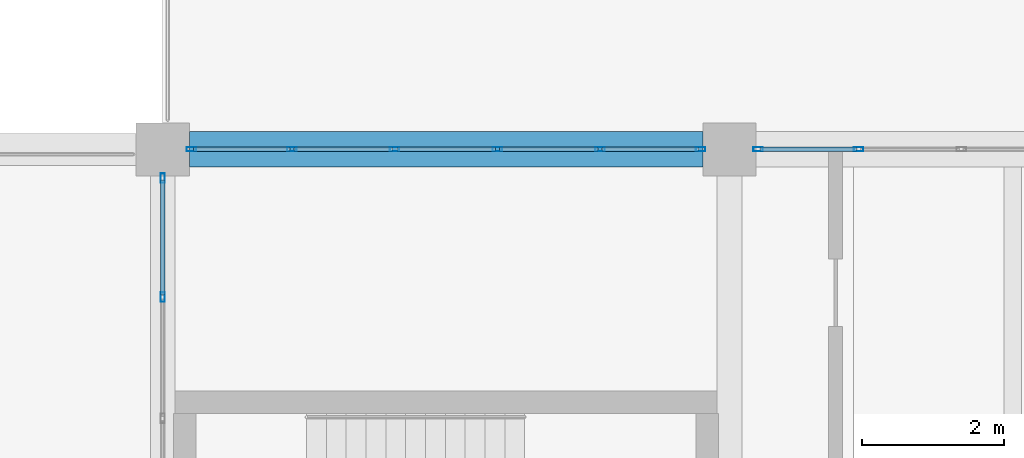
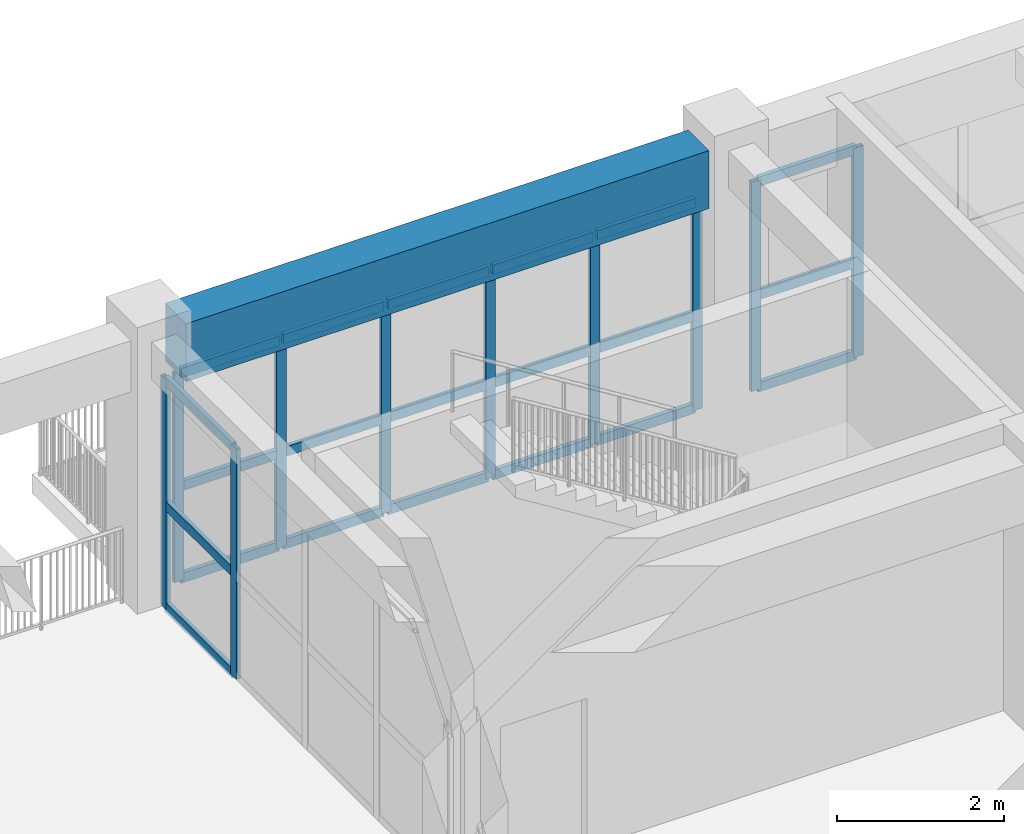
# One storey, part 13 of 63: 31 members, 1 beam, 3 elements without a shape of their own.
"""IFC4 building model written with IfcOpenShell, lengths in metres."""

from ifc_helpers import new_model, si_unit, direction, frame, origin, origin_2d, place, context, subcontext, project, spatial, rectangle, hollow_rectangle, extrude, material, material_profile, profile_set, type_object, element, aggregate, save


model = new_model("IFC4")

# Units and contexts
model_context = context("Model", 3, precision=1e-05, world=origin(), true_north=direction((0.0, 1.0)))
body_context = subcontext(model_context, "Body", "Model", "MODEL_VIEW")
ifc_project = project(units=[si_unit("LENGTHUNIT", "METRE"), si_unit("AREAUNIT", "SQUARE_METRE"), si_unit("VOLUMEUNIT", "CUBIC_METRE"), si_unit("PLANEANGLEUNIT", "RADIAN"), si_unit("MASSUNIT", "GRAM", prefix="KILO")], contexts=[model_context])

# Site, building, storey
site_placement = place(None, origin())
site = spatial("IfcSite", under=ifc_project, at=site_placement, CompositionType="ELEMENT")
building_placement = place(site_placement, origin())
building = spatial("IfcBuilding", under=site, at=building_placement, Name="Zantavel Square City Hall", CompositionType="ELEMENT")
storey_placement = place(building_placement, frame((0.0, 0.0, 14.699951171875)))
storey = spatial("IfcBuildingStorey", under=building, at=storey_placement, Name="L04", CompositionType="ELEMENT", Elevation=14.699951171875)

# Curtain wall, members
ifc_material_1 = material(Name="Anodised aluminium 6063-T6", Category="aluminium")
curtain_wall_type_1 = type_object("IfcCurtainWallType", Name="Curtain Wall TRV1 7250x3070", PredefinedType="USERDEFINED", material=ifc_material_1)
curtain_wall_1_placement = place(storey_placement, origin())
curtain_wall_1 = element("IfcCurtainWall", 1, at=curtain_wall_1_placement, inside=storey, type_object=curtain_wall_type_1, Name="L04 Glazed Curtain Wall CW-L04-107", ObjectType="GLAZED CURTAIN WALL", PredefinedType="USERDEFINED")
ifc_material_profile_1 = material_profile(ifc_material_1, hollow_rectangle(XDim=0.06005859375, YDim=0.135009765625, WallThickness=0.00390625, at=origin_2d()), Name="ALU 60x135x4")
ifc_profile_set_1 = profile_set([ifc_material_profile_1], Name="Anodised aluminium 6063-T6")
member_type_1 = type_object("IfcMemberType", Name="CW Mullion ALU 60x135x4", PredefinedType="MULLION", material=ifc_profile_set_1)
member_1_placement = place(storey_placement, frame((64.405029296875, 68.39990234375, 0.0), z_axis=(0.0, 0.0, 1.0), x_axis=(0.0, 1.0, 0.0)))
member_1 = element("IfcMember", 2, at=member_1_placement, type_object=member_type_1, Name="CW-107 mullion 1", PredefinedType="MULLION", context=body_context, shape_type="SweptSolid", body=[
    extrude(hollow_rectangle(XDim=0.06005859375, YDim=0.135009765625, WallThickness=0.00390625, at=origin_2d()), origin(), (0.0, 0.0, 1.0), 3.070068359375),
])
member_2_placement = place(storey_placement, frame((65.824951171875, 68.39990234375, 0.0), z_axis=(0.0, 0.0, 1.0), x_axis=(0.0, 1.0, 0.0)))
member_2 = element("IfcMember", 3, at=member_2_placement, type_object=member_type_1, Name="CW-107 mullion 2", PredefinedType="MULLION", context=body_context, shape_type="SweptSolid", body=[
    extrude(hollow_rectangle(XDim=0.06005859375, YDim=0.135009765625, WallThickness=0.00390625, at=origin_2d()), origin(), (0.0, 0.0, 1.0), 3.070068359375),
])
member_3_placement = place(storey_placement, frame((67.27490234375, 68.39990234375, 0.0), z_axis=(0.0, 0.0, 1.0), x_axis=(0.0, 1.0, 0.0)))
member_3 = element("IfcMember", 4, at=member_3_placement, type_object=member_type_1, Name="CW-107 mullion 3", PredefinedType="MULLION", context=body_context, shape_type="SweptSolid", body=[
    extrude(hollow_rectangle(XDim=0.06005859375, YDim=0.135009765625, WallThickness=0.00390625, at=origin_2d()), origin(), (0.0, 0.0, 1.0), 3.070068359375),
])
member_4_placement = place(storey_placement, frame((68.72509765625, 68.39990234375, 0.0), z_axis=(0.0, 0.0, 1.0), x_axis=(0.0, 1.0, 0.0)))
member_4 = element("IfcMember", 5, at=member_4_placement, type_object=member_type_1, Name="CW-107 mullion 4", PredefinedType="MULLION", context=body_context, shape_type="SweptSolid", body=[
    extrude(hollow_rectangle(XDim=0.06005859375, YDim=0.135009765625, WallThickness=0.00390625, at=origin_2d()), origin(), (0.0, 0.0, 1.0), 3.070068359375),
])
member_5_placement = place(storey_placement, frame((70.175048828125, 68.39990234375, 0.0), z_axis=(0.0, 0.0, 1.0), x_axis=(0.0, 1.0, 0.0)))
member_5 = element("IfcMember", 6, at=member_5_placement, type_object=member_type_1, Name="CW-107 mullion 5", PredefinedType="MULLION", context=body_context, shape_type="SweptSolid", body=[
    extrude(hollow_rectangle(XDim=0.06005859375, YDim=0.135009765625, WallThickness=0.00390625, at=origin_2d()), origin(), (0.0, 0.0, 1.0), 3.070068359375),
])
member_6_placement = place(storey_placement, frame((71.594970703125, 68.39990234375, 0.0), z_axis=(0.0, 0.0, 1.0), x_axis=(0.0, 1.0, 0.0)))
member_6 = element("IfcMember", 7, at=member_6_placement, type_object=member_type_1, Name="CW-107 mullion 6", PredefinedType="MULLION", context=body_context, shape_type="SweptSolid", body=[
    extrude(hollow_rectangle(XDim=0.06005859375, YDim=0.135009765625, WallThickness=0.00390625, at=origin_2d()), origin(), (0.0, 0.0, 1.0), 3.070068359375),
])

curtain_wall_2_placement = place(storey_placement, origin())
curtain_wall_2 = element("IfcCurtainWall", 8, at=curtain_wall_2_placement, inside=storey, type_object=curtain_wall_type_1, Name="L04 Glazed Curtain Wall CW-L04-108", ObjectType="GLAZED CURTAIN WALL", PredefinedType="USERDEFINED")
member_7_placement = place(storey_placement, frame((72.405029296875, 68.39990234375, 0.0), z_axis=(0.0, 0.0, 1.0), x_axis=(0.0, 1.0, 0.0)))
member_7 = element("IfcMember", 9, at=member_7_placement, type_object=member_type_1, Name="CW-108 mullion 1", PredefinedType="MULLION", context=body_context, shape_type="SweptSolid", body=[
    extrude(hollow_rectangle(XDim=0.06005859375, YDim=0.135009765625, WallThickness=0.00390625, at=origin_2d()), origin(), (0.0, 0.0, 1.0), 3.070068359375),
])
member_8_placement = place(storey_placement, frame((73.824951171875, 68.39990234375, 0.0), z_axis=(0.0, 0.0, 1.0), x_axis=(0.0, 1.0, 0.0)))
member_8 = element("IfcMember", 10, at=member_8_placement, type_object=member_type_1, Name="CW-108 mullion 2", PredefinedType="MULLION", context=body_context, shape_type="SweptSolid", body=[
    extrude(hollow_rectangle(XDim=0.06005859375, YDim=0.135009765625, WallThickness=0.00390625, at=origin_2d()), origin(), (0.0, 0.0, 1.0), 3.070068359375),
])

curtain_wall_type_2 = type_object("IfcCurtainWallType", Name="Curtain Wall TRV1 6850x3370", PredefinedType="USERDEFINED", material=ifc_material_1)
curtain_wall_3_placement = place(storey_placement, origin())
curtain_wall_3 = element("IfcCurtainWall", 11, at=curtain_wall_3_placement, inside=storey, type_object=curtain_wall_type_2, Name="L04 Glazed Curtain Wall CW-L04-121", ObjectType="GLAZED CURTAIN WALL", PredefinedType="USERDEFINED")
member_9_placement = place(storey_placement, frame((64.0, 66.3125, 0.0), z_axis=(0.0, 0.0, 1.0), x_axis=(-1.0, 0.0, 0.0)))
member_9 = element("IfcMember", 12, at=member_9_placement, type_object=member_type_1, Name="CW-121 mullion 4", PredefinedType="MULLION", context=body_context, shape_type="SweptSolid", body=[
    extrude(hollow_rectangle(XDim=0.06005859375, YDim=0.135009765625, WallThickness=0.00390625, at=origin_2d()), origin(), (0.0, 0.0, 1.0), 3.3701171875),
])
member_10_placement = place(storey_placement, frame((64.0, 67.9951171875, 0.0), z_axis=(0.0, 0.0, 1.0), x_axis=(-1.0, 0.0, 0.0)))
member_10 = element("IfcMember", 13, at=member_10_placement, type_object=member_type_1, Name="CW-121 mullion 5", PredefinedType="MULLION", context=body_context, shape_type="SweptSolid", body=[
    extrude(hollow_rectangle(XDim=0.06005859375, YDim=0.135009765625, WallThickness=0.00390625, at=origin_2d()), origin(), (0.0, 0.0, 1.0), 3.3701171875),
])

# Member
ifc_material_profile_2 = material_profile(ifc_material_1, hollow_rectangle(XDim=0.06005859375, YDim=0.139892578125, WallThickness=0.00390625, at=origin_2d()), Name="ALU 60x140x4")
ifc_profile_set_2 = profile_set([ifc_material_profile_2], Name="Anodised aluminium 6063-T6")
member_type_2 = type_object("IfcMemberType", Name="CW Transom ALU 60x140x4", PredefinedType="USERDEFINED", material=ifc_profile_set_2)
member_11_placement = place(storey_placement, frame((64.43505859375, 68.39990234375, 0.030029296875), z_axis=(1.0, 0.0, 0.0), x_axis=(0.0, 1.0, 0.0)))
member_11 = element("IfcMember", 14, at=member_11_placement, type_object=member_type_2, Name="CW-107 transom 1.1", ObjectType="TRANSOM", PredefinedType="USERDEFINED", context=body_context, shape_type="SweptSolid", body=[
    extrude(hollow_rectangle(XDim=0.06005859375, YDim=0.139892578125, WallThickness=0.00390625, at=origin_2d()), origin(), (0.0, 0.0, 1.0), 1.35986328125),
])

member_12_placement = place(storey_placement, frame((64.43505859375, 68.39990234375, 1.381103515625), z_axis=(1.0, 0.0, 0.0), x_axis=(0.0, 1.0, 0.0)))
member_12 = element("IfcMember", 15, at=member_12_placement, type_object=member_type_2, Name="CW-107 transom 1.2", ObjectType="TRANSOM", PredefinedType="USERDEFINED", context=body_context, shape_type="SweptSolid", body=[
    extrude(hollow_rectangle(XDim=0.06005859375, YDim=0.139892578125, WallThickness=0.00390625, at=origin_2d()), origin(), (0.0, 0.0, 1.0), 1.35986328125),
])

member_13_placement = place(storey_placement, frame((64.43505859375, 68.39990234375, 3.0400390625), z_axis=(1.0, 0.0, 0.0), x_axis=(0.0, 1.0, 0.0)))
member_13 = element("IfcMember", 16, at=member_13_placement, type_object=member_type_2, Name="CW-107 transom 1.3", ObjectType="TRANSOM", PredefinedType="USERDEFINED", context=body_context, shape_type="SweptSolid", body=[
    extrude(hollow_rectangle(XDim=0.06005859375, YDim=0.139892578125, WallThickness=0.00390625, at=origin_2d()), origin(), (0.0, 0.0, 1.0), 1.35986328125),
])

member_14_placement = place(storey_placement, frame((65.85498046875, 68.39990234375, 0.030029296875), z_axis=(1.0, 0.0, 0.0), x_axis=(0.0, 1.0, 0.0)))
member_14 = element("IfcMember", 17, at=member_14_placement, type_object=member_type_2, Name="CW-107 transom 2.1", ObjectType="TRANSOM", PredefinedType="USERDEFINED", context=body_context, shape_type="SweptSolid", body=[
    extrude(hollow_rectangle(XDim=0.06005859375, YDim=0.139892578125, WallThickness=0.00390625, at=origin_2d()), origin(), (0.0, 0.0, 1.0), 1.39013671875),
])

member_15_placement = place(storey_placement, frame((65.85498046875, 68.39990234375, 1.381103515625), z_axis=(1.0, 0.0, 0.0), x_axis=(0.0, 1.0, 0.0)))
member_15 = element("IfcMember", 18, at=member_15_placement, type_object=member_type_2, Name="CW-107 transom 2.2", ObjectType="TRANSOM", PredefinedType="USERDEFINED", context=body_context, shape_type="SweptSolid", body=[
    extrude(hollow_rectangle(XDim=0.06005859375, YDim=0.139892578125, WallThickness=0.00390625, at=origin_2d()), origin(), (0.0, 0.0, 1.0), 1.39013671875),
])

member_16_placement = place(storey_placement, frame((65.85498046875, 68.39990234375, 3.0400390625), z_axis=(1.0, 0.0, 0.0), x_axis=(0.0, 1.0, 0.0)))
member_16 = element("IfcMember", 19, at=member_16_placement, type_object=member_type_2, Name="CW-107 transom 2.3", ObjectType="TRANSOM", PredefinedType="USERDEFINED", context=body_context, shape_type="SweptSolid", body=[
    extrude(hollow_rectangle(XDim=0.06005859375, YDim=0.139892578125, WallThickness=0.00390625, at=origin_2d()), origin(), (0.0, 0.0, 1.0), 1.39013671875),
])

member_17_placement = place(storey_placement, frame((67.304931640625, 68.39990234375, 0.030029296875), z_axis=(1.0, 0.0, 0.0), x_axis=(0.0, 1.0, 0.0)))
member_17 = element("IfcMember", 20, at=member_17_placement, type_object=member_type_2, Name="CW-107 transom 3.1", ObjectType="TRANSOM", PredefinedType="USERDEFINED", context=body_context, shape_type="SweptSolid", body=[
    extrude(hollow_rectangle(XDim=0.06005859375, YDim=0.139892578125, WallThickness=0.00390625, at=origin_2d()), origin(), (0.0, 0.0, 1.0), 1.39013671875),
])

member_18_placement = place(storey_placement, frame((67.304931640625, 68.39990234375, 1.381103515625), z_axis=(1.0, 0.0, 0.0), x_axis=(0.0, 1.0, 0.0)))
member_18 = element("IfcMember", 21, at=member_18_placement, type_object=member_type_2, Name="CW-107 transom 3.2", ObjectType="TRANSOM", PredefinedType="USERDEFINED", context=body_context, shape_type="SweptSolid", body=[
    extrude(hollow_rectangle(XDim=0.06005859375, YDim=0.139892578125, WallThickness=0.00390625, at=origin_2d()), origin(), (0.0, 0.0, 1.0), 1.39013671875),
])

member_19_placement = place(storey_placement, frame((67.304931640625, 68.39990234375, 3.0400390625), z_axis=(1.0, 0.0, 0.0), x_axis=(0.0, 1.0, 0.0)))
member_19 = element("IfcMember", 22, at=member_19_placement, type_object=member_type_2, Name="CW-107 transom 3.3", ObjectType="TRANSOM", PredefinedType="USERDEFINED", context=body_context, shape_type="SweptSolid", body=[
    extrude(hollow_rectangle(XDim=0.06005859375, YDim=0.139892578125, WallThickness=0.00390625, at=origin_2d()), origin(), (0.0, 0.0, 1.0), 1.39013671875),
])

member_20_placement = place(storey_placement, frame((68.7548828125, 68.39990234375, 0.030029296875), z_axis=(1.0, 0.0, 0.0), x_axis=(0.0, 1.0, 0.0)))
member_20 = element("IfcMember", 23, at=member_20_placement, type_object=member_type_2, Name="CW-107 transom 4.1", ObjectType="TRANSOM", PredefinedType="USERDEFINED", context=body_context, shape_type="SweptSolid", body=[
    extrude(hollow_rectangle(XDim=0.06005859375, YDim=0.139892578125, WallThickness=0.00390625, at=origin_2d()), origin(), (0.0, 0.0, 1.0), 1.39013671875),
])

member_21_placement = place(storey_placement, frame((68.7548828125, 68.39990234375, 1.381103515625), z_axis=(1.0, 0.0, 0.0), x_axis=(0.0, 1.0, 0.0)))
member_21 = element("IfcMember", 24, at=member_21_placement, type_object=member_type_2, Name="CW-107 transom 4.2", ObjectType="TRANSOM", PredefinedType="USERDEFINED", context=body_context, shape_type="SweptSolid", body=[
    extrude(hollow_rectangle(XDim=0.06005859375, YDim=0.139892578125, WallThickness=0.00390625, at=origin_2d()), origin(), (0.0, 0.0, 1.0), 1.39013671875),
])

member_22_placement = place(storey_placement, frame((68.7548828125, 68.39990234375, 3.0400390625), z_axis=(1.0, 0.0, 0.0), x_axis=(0.0, 1.0, 0.0)))
member_22 = element("IfcMember", 25, at=member_22_placement, type_object=member_type_2, Name="CW-107 transom 4.3", ObjectType="TRANSOM", PredefinedType="USERDEFINED", context=body_context, shape_type="SweptSolid", body=[
    extrude(hollow_rectangle(XDim=0.06005859375, YDim=0.139892578125, WallThickness=0.00390625, at=origin_2d()), origin(), (0.0, 0.0, 1.0), 1.39013671875),
])

member_23_placement = place(storey_placement, frame((70.205078125, 68.39990234375, 0.030029296875), z_axis=(1.0, 0.0, 0.0), x_axis=(0.0, 1.0, 0.0)))
member_23 = element("IfcMember", 26, at=member_23_placement, type_object=member_type_2, Name="CW-107 transom 5.1", ObjectType="TRANSOM", PredefinedType="USERDEFINED", context=body_context, shape_type="SweptSolid", body=[
    extrude(hollow_rectangle(XDim=0.06005859375, YDim=0.139892578125, WallThickness=0.00390625, at=origin_2d()), origin(), (0.0, 0.0, 1.0), 1.35986328125),
])

member_24_placement = place(storey_placement, frame((70.205078125, 68.39990234375, 1.381103515625), z_axis=(1.0, 0.0, 0.0), x_axis=(0.0, 1.0, 0.0)))
member_24 = element("IfcMember", 27, at=member_24_placement, type_object=member_type_2, Name="CW-107 transom 5.2", ObjectType="TRANSOM", PredefinedType="USERDEFINED", context=body_context, shape_type="SweptSolid", body=[
    extrude(hollow_rectangle(XDim=0.06005859375, YDim=0.139892578125, WallThickness=0.00390625, at=origin_2d()), origin(), (0.0, 0.0, 1.0), 1.35986328125),
])

member_25_placement = place(storey_placement, frame((70.205078125, 68.39990234375, 3.0400390625), z_axis=(1.0, 0.0, 0.0), x_axis=(0.0, 1.0, 0.0)))
member_25 = element("IfcMember", 28, at=member_25_placement, type_object=member_type_2, Name="CW-107 transom 5.3", ObjectType="TRANSOM", PredefinedType="USERDEFINED", context=body_context, shape_type="SweptSolid", body=[
    extrude(hollow_rectangle(XDim=0.06005859375, YDim=0.139892578125, WallThickness=0.00390625, at=origin_2d()), origin(), (0.0, 0.0, 1.0), 1.35986328125),
])

aggregate(curtain_wall_1, [member_1, member_2, member_3, member_4, member_5, member_6, member_11, member_12, member_13, member_14, member_15, member_16, member_17, member_18, member_19, member_20, member_21, member_22, member_23, member_24, member_25])

member_26_placement = place(storey_placement, frame((72.43505859375, 68.39990234375, 0.030029296875), z_axis=(1.0, 0.0, 0.0), x_axis=(0.0, 1.0, 0.0)))
member_26 = element("IfcMember", 29, at=member_26_placement, type_object=member_type_2, Name="CW-108 transom 1.1", ObjectType="TRANSOM", PredefinedType="USERDEFINED", context=body_context, shape_type="SweptSolid", body=[
    extrude(hollow_rectangle(XDim=0.06005859375, YDim=0.139892578125, WallThickness=0.00390625, at=origin_2d()), origin(), (0.0, 0.0, 1.0), 1.35986328125),
])

member_27_placement = place(storey_placement, frame((72.43505859375, 68.39990234375, 1.381103515625), z_axis=(1.0, 0.0, 0.0), x_axis=(0.0, 1.0, 0.0)))
member_27 = element("IfcMember", 30, at=member_27_placement, type_object=member_type_2, Name="CW-108 transom 1.2", ObjectType="TRANSOM", PredefinedType="USERDEFINED", context=body_context, shape_type="SweptSolid", body=[
    extrude(hollow_rectangle(XDim=0.06005859375, YDim=0.139892578125, WallThickness=0.00390625, at=origin_2d()), origin(), (0.0, 0.0, 1.0), 1.35986328125),
])

member_28_placement = place(storey_placement, frame((72.43505859375, 68.39990234375, 3.0400390625), z_axis=(1.0, 0.0, 0.0), x_axis=(0.0, 1.0, 0.0)))
member_28 = element("IfcMember", 31, at=member_28_placement, type_object=member_type_2, Name="CW-108 transom 1.3", ObjectType="TRANSOM", PredefinedType="USERDEFINED", context=body_context, shape_type="SweptSolid", body=[
    extrude(hollow_rectangle(XDim=0.06005859375, YDim=0.139892578125, WallThickness=0.00390625, at=origin_2d()), origin(), (0.0, 0.0, 1.0), 1.35986328125),
])

aggregate(curtain_wall_2, [member_7, member_8, member_26, member_27, member_28])

member_29_placement = place(storey_placement, frame((64.0, 66.342529296875, 0.030029296875), z_axis=(0.0, 1.0, 0.0), x_axis=(-1.0, 0.0, 0.0)))
member_29 = element("IfcMember", 32, at=member_29_placement, type_object=member_type_2, Name="CW-121 transom 4.1", ObjectType="TRANSOM", PredefinedType="USERDEFINED", context=body_context, shape_type="SweptSolid", body=[
    extrude(hollow_rectangle(XDim=0.06005859375, YDim=0.139892578125, WallThickness=0.00390625, at=origin_2d()), origin(), (0.0, 0.0, 1.0), 1.62255859375),
])

member_30_placement = place(storey_placement, frame((64.0, 66.342529296875, 1.51708984375), z_axis=(0.0, 1.0, 0.0), x_axis=(-1.0, 0.0, 0.0)))
member_30 = element("IfcMember", 33, at=member_30_placement, type_object=member_type_2, Name="CW-121 transom 4.2", ObjectType="TRANSOM", PredefinedType="USERDEFINED", context=body_context, shape_type="SweptSolid", body=[
    extrude(hollow_rectangle(XDim=0.06005859375, YDim=0.139892578125, WallThickness=0.00390625, at=origin_2d()), origin(), (0.0, 0.0, 1.0), 1.62255859375),
])

member_31_placement = place(storey_placement, frame((64.0, 66.342529296875, 3.340087890625), z_axis=(0.0, 1.0, 0.0), x_axis=(-1.0, 0.0, 0.0)))
member_31 = element("IfcMember", 34, at=member_31_placement, type_object=member_type_2, Name="CW-121 transom 4.3", ObjectType="TRANSOM", PredefinedType="USERDEFINED", context=body_context, shape_type="SweptSolid", body=[
    extrude(hollow_rectangle(XDim=0.06005859375, YDim=0.139892578125, WallThickness=0.00390625, at=origin_2d()), origin(), (0.0, 0.0, 1.0), 1.62255859375),
])

aggregate(curtain_wall_3, [member_9, member_10, member_29, member_30, member_31])

# Beam
ifc_material_2 = material(Name="Concrete C40/50", Category="concrete")
ifc_material_profile_3 = material_profile(ifc_material_2, rectangle(XDim=0.5, YDim=0.85009765625, at=origin_2d()), Name="RC 500x850")
ifc_profile_set_3 = profile_set([ifc_material_profile_3], Name="Concrete C40/50")
beam_type = type_object("IfcBeamType", Name="Council Chamber Girder RC 500x850 C40/50", PredefinedType="BEAM", material=ifc_profile_set_3)
beam_placement = place(storey_placement, frame((64.375, 68.39990234375, 3.4951171875), z_axis=(1.0, 0.0, 0.0), x_axis=(0.0, 1.0, 0.0)))
element("IfcBeam", 35, at=beam_placement, inside=storey, type_object=beam_type, Name="L04 Girder BMX-L04-0640-0684", PredefinedType="BEAM", context=body_context, shape_type="SweptSolid", body=[
    extrude(rectangle(XDim=0.5, YDim=0.85009765625, at=origin_2d()), origin(), (0.0, 0.0, 1.0), 7.25),
])

save(model, "model.ifc")
